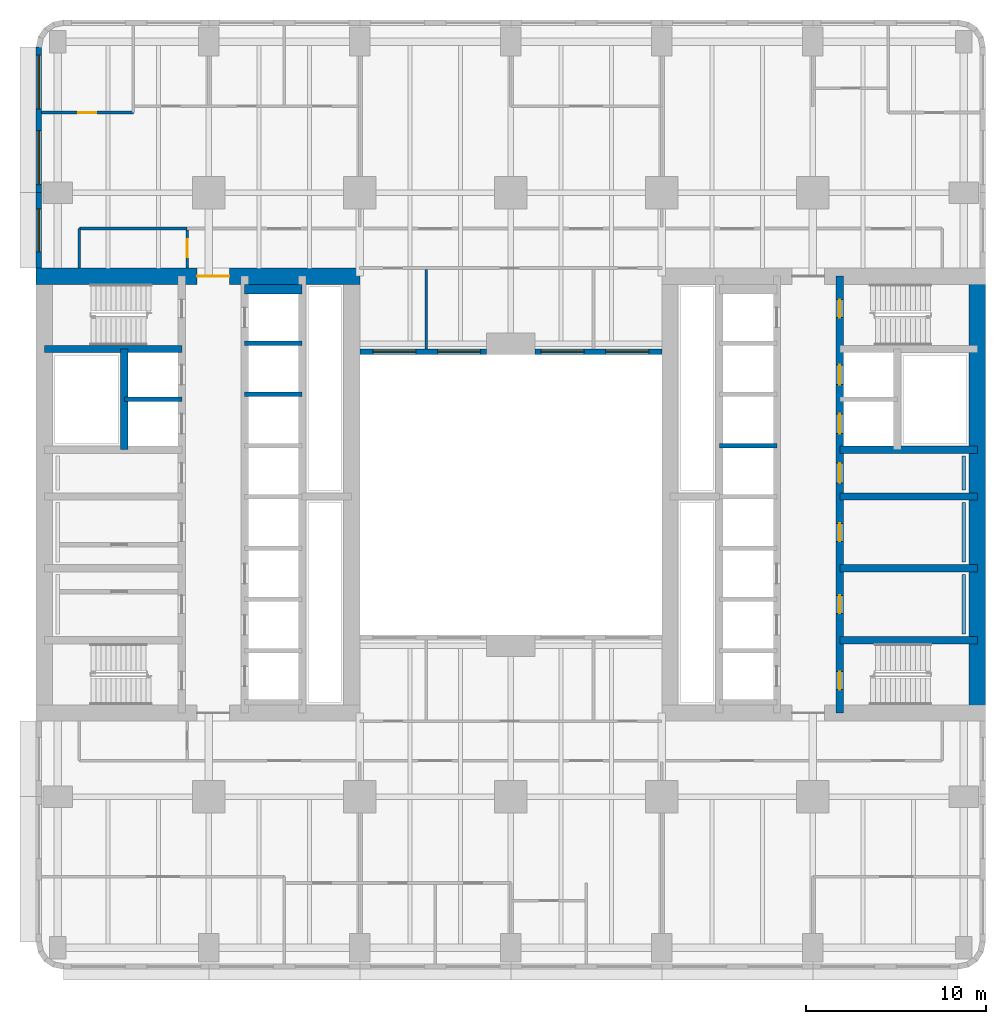
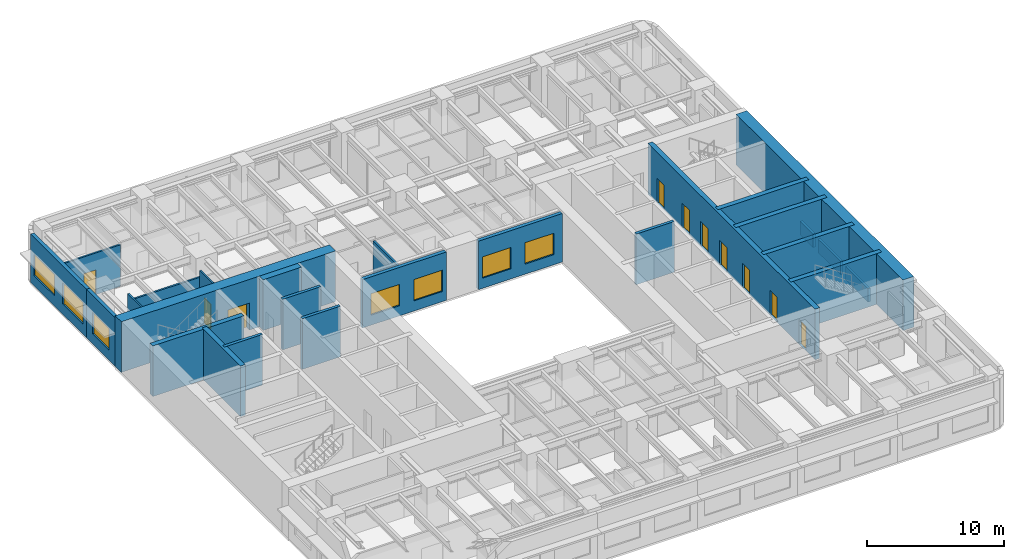
# One storey, part 6 of 13: 26 walls, 10 doors, 7 windows, 17 openings.
"""IFC4 building model written with IfcOpenShell, lengths in metres."""

from ifc_helpers import new_model, si_unit, direction, frame, frame_2d, origin, place, context, subcontext, project, spatial, rectangle, extrude, material, layer, layer_set, type_object, element, fill, save


model = new_model("IFC4")

# Units and contexts
model_context = context("Model", 3, precision=1e-05, world=origin(), true_north=direction((0.0, 1.0)))
body_context = subcontext(model_context, "Body", "Model", "MODEL_VIEW")
ifc_project = project(units=[si_unit("LENGTHUNIT", "METRE"), si_unit("AREAUNIT", "SQUARE_METRE"), si_unit("VOLUMEUNIT", "CUBIC_METRE"), si_unit("PLANEANGLEUNIT", "RADIAN"), si_unit("MASSUNIT", "GRAM", prefix="KILO")], contexts=[model_context])

# Site, building, storey
site_placement = place(None, origin())
site = spatial("IfcSite", under=ifc_project, at=site_placement, CompositionType="ELEMENT")
building_placement = place(site_placement, origin())
building = spatial("IfcBuilding", under=site, at=building_placement, Name="Claustro Exchange Tower", CompositionType="ELEMENT")
storey_placement = place(building_placement, frame((0.0, 0.0, 86.39990234375)))
storey = spatial("IfcBuildingStorey", under=building, at=storey_placement, Name="L19", CompositionType="ELEMENT", Elevation=86.39990234375)

# Wall, opening, door
ifc_material_1 = material(Name="Gypsum board on steel studs", Category="steel")
ifc_layer_1 = layer(ifc_material_1, 0.14990234375)
ifc_layer_set_1 = layer_set([ifc_layer_1], Name="Gypsum board on steel studs")
wall_type_1 = type_object("IfcWallType", Name="P1 150 plasterboard partition", PredefinedType="PARTITIONING", material=ifc_layer_set_1)
wall_1_placement = place(storey_placement, frame((-0.902099609375, 46.449951171875, 0.0), z_axis=(0.0, 0.0, 1.0), x_axis=(1.0, 0.0, 0.0)))
wall_1 = element("IfcWall", 1, at=wall_1_placement, inside=storey, type_object=wall_type_1, Name="Partition P1 L19", PredefinedType="PARTITIONING", context=body_context, shape_type="SweptSolid", body=[
    extrude(rectangle(XDim=5.10205078125, YDim=0.14990234375, at=frame_2d((2.551025390625, 0.0))), origin(), (0.0, 0.0, 1.0), 3.7001953125),
])
opening_1_placement = place(wall_1_placement, frame((2.052001953125, 0.0, 0.0)))
opening_1 = element("IfcOpeningElement", 2, at=opening_1_placement, cuts=wall_1, Name="Opening D1", PredefinedType="OPENING", context=body_context, shape_type="SweptSolid", body=[
    extrude(rectangle(XDim=1.0, YDim=2.199951171875, at=frame_2d((0.5, 1.10009765625))), frame((0.0, 0.0849609375, 0.0), z_axis=(0.0, -1.0, 0.0), x_axis=(1.0, 0.0, 0.0)), (0.0, 0.0, 1.0), 0.169921875),
])
ifc_material_2 = material(Name="Timber door, oak veneer", Category="wood")
door_type_1 = type_object("IfcDoorType", Name="D1 1000 x 2200 single door", OperationType="SINGLE_SWING_LEFT", PredefinedType="DOOR", material=ifc_material_2)
door_1_placement = place(opening_1_placement, origin())
door_1 = element("IfcDoor", 3, at=door_1_placement, inside=storey, type_object=door_type_1, Name="Door D1 L19", OperationType="SINGLE_SWING_RIGHT", OverallHeight=2.199951171875, OverallWidth=1.0, PredefinedType="DOOR", context=body_context, shape_type="SweptSolid", body=[
    extrude(rectangle(XDim=1.0, YDim=2.199951171875, at=frame_2d((0.5, 1.10009765625))), frame((0.0, 0.02490234375, 0.0), z_axis=(0.0, -1.0, 0.0), x_axis=(1.0, 0.0, 0.0)), (0.0, 0.0, 1.0), 0.050048828125),
])
fill(opening_1, door_1)

wall_2_placement = place(storey_placement, frame((7.199951171875, 37.800048828125, 0.0), z_axis=(0.0, 0.0, 1.0), x_axis=(0.0, 1.0, 0.0)))
wall_2 = element("IfcWall", 4, at=wall_2_placement, inside=storey, type_object=wall_type_1, Name="Partition P1 L19", PredefinedType="PARTITIONING", context=body_context, shape_type="SweptSolid", body=[
    extrude(rectangle(XDim=2.1259765625, YDim=0.14990234375, at=frame_2d((1.06298828125, 0.0))), origin(), (0.0, 0.0, 1.0), 4.300048828125),
])
opening_2_placement = place(wall_2_placement, frame((0.60009765625, 0.0, 0.0)))
opening_2 = element("IfcOpeningElement", 5, at=opening_2_placement, cuts=wall_2, Name="Opening D1", PredefinedType="OPENING", context=body_context, shape_type="SweptSolid", body=[
    extrude(rectangle(XDim=1.0, YDim=2.199951171875, at=frame_2d((0.5, 1.10009765625))), frame((0.0, 0.0849609375, 0.0), z_axis=(0.0, -1.0, 0.0), x_axis=(1.0, 0.0, 0.0)), (0.0, 0.0, 1.0), 0.169921875),
])
door_2_placement = place(opening_2_placement, origin())
door_2 = element("IfcDoor", 6, at=door_2_placement, inside=storey, type_object=door_type_1, Name="Door D1 L19", OperationType="SINGLE_SWING_LEFT", OverallHeight=2.199951171875, OverallWidth=1.0, PredefinedType="DOOR", context=body_context, shape_type="SweptSolid", body=[
    extrude(rectangle(XDim=1.0, YDim=2.199951171875, at=frame_2d((0.5, 1.10009765625))), frame((0.0, 0.02490234375, 0.0), z_axis=(0.0, -1.0, 0.0), x_axis=(1.0, 0.0, 0.0)), (0.0, 0.0, 1.0), 0.050048828125),
])
fill(opening_2, door_2)

# Walls
wall_3_placement = place(storey_placement, frame((1.199951171875, 40.0, 0.0), z_axis=(0.0, 0.0, 1.0), x_axis=(1.0, 0.0, 0.0)))
element("IfcWall", 7, at=wall_3_placement, inside=storey, type_object=wall_type_1, Name="Partition P1 L19", PredefinedType="PARTITIONING", context=body_context, shape_type="SweptSolid", body=[
    extrude(rectangle(XDim=6.001953125, YDim=0.14990234375, at=frame_2d((3.0009765625, 0.0))), origin(), (0.0, 0.0, 1.0), 3.7001953125),
])
wall_4_placement = place(storey_placement, frame((1.199951171875, 37.800048828125, 0.0), z_axis=(0.0, 0.0, 1.0), x_axis=(0.0, 1.0, 0.0)))
element("IfcWall", 8, at=wall_4_placement, inside=storey, type_object=wall_type_1, Name="Partition P1 L19", PredefinedType="PARTITIONING", context=body_context, shape_type="SweptSolid", body=[
    extrude(rectangle(XDim=2.199951171875, YDim=0.14990234375, at=frame_2d((1.10009765625, 0.0))), origin(), (0.0, 0.0, 1.0), 4.300048828125),
])
wall_5_placement = place(storey_placement, frame((20.5, 33.298095703125, 0.0), z_axis=(0.0, 0.0, 1.0), x_axis=(0.0, 1.0, 0.0)))
element("IfcWall", 9, at=wall_5_placement, inside=storey, type_object=wall_type_1, Name="Partition P1 L19", PredefinedType="PARTITIONING", context=body_context, shape_type="SweptSolid", body=[
    extrude(rectangle(XDim=4.427978515625, YDim=0.14990234375, at=frame_2d((2.2138671875, 0.0))), origin(), (0.0, 0.0, 1.0), 3.610107421875),
])

# Wall, opening, window
ifc_material_3 = material(Name="Concrete HA-40 (C40/50), precast, white cement, acid-etched", Category="concrete")
ifc_layer_2 = layer(ifc_material_3, 0.300048828125)
ifc_layer_set_2 = layer_set([ifc_layer_2], Name="Concrete HA-40 (C40/50), precast, white cement, acid-etched")
wall_type_2 = type_object("IfcWallType", Name="PC1 300 precast concrete pier panel", PredefinedType="SOLIDWALL", material=ifc_layer_set_2)
wall_6_placement = place(storey_placement, frame((-1.050048828125, 37.800048828125, 0.0), z_axis=(0.0, 0.0, 1.0), x_axis=(0.0, 1.0, 0.0)))
wall_6 = element("IfcWall", 10, at=wall_6_placement, inside=storey, type_object=wall_type_2, Name="Precast pier panel PC1 L19", PredefinedType="SOLIDWALL", context=body_context, shape_type="SweptSolid", body=[
    extrude(rectangle(XDim=4.199951171875, YDim=0.300048828125, at=frame_2d((2.10009765625, 0.0))), origin(), (0.0, 0.0, 1.0), 4.300048828125),
])
opening_3_placement = place(wall_6_placement, frame((0.89990234375, 0.0, 0.89990234375)))
opening_3 = element("IfcOpeningElement", 11, at=opening_3_placement, cuts=wall_6, Name="Opening W2", PredefinedType="OPENING", context=body_context, shape_type="SweptSolid", body=[
    extrude(rectangle(XDim=2.39990234375, YDim=1.89990234375, at=frame_2d((1.199951171875, 0.949951171875))), frame((0.0, 0.159912109375, 0.0), z_axis=(0.0, -1.0, 0.0), x_axis=(1.0, 0.0, 0.0)), (0.0, 0.0, 1.0), 0.320068359375),
])
ifc_material_4 = material(Name="Aluminium frame, clear double glazing", Category="aluminium")
window_type_1 = type_object("IfcWindowType", Name="W2 2400 x 1900 window", PartitioningType="SINGLE_PANEL", PredefinedType="WINDOW", material=ifc_material_4)
window_1_placement = place(opening_3_placement, origin())
window_1 = element("IfcWindow", 12, at=window_1_placement, inside=storey, type_object=window_type_1, Name="Window W2 L19", OverallHeight=1.89990234375, OverallWidth=2.39990234375, PartitioningType="SINGLE_PANEL", PredefinedType="WINDOW", context=body_context, shape_type="SweptSolid", body=[
    extrude(rectangle(XDim=2.39990234375, YDim=1.89990234375, at=frame_2d((1.199951171875, 0.949951171875))), frame((0.0, 0.030029296875, 0.0), z_axis=(0.0, -1.0, 0.0), x_axis=(1.0, 0.0, 0.0)), (0.0, 0.0, 1.0), 0.06005859375),
])
fill(opening_3, window_1)

# Wall, openings, windows
wall_7_placement = place(storey_placement, frame((-1.050048828125, 42.0, 0.0), z_axis=(0.0, 0.0, 1.0), x_axis=(0.0, 1.0, 0.0)))
wall_7 = element("IfcWall", 13, at=wall_7_placement, inside=storey, type_object=wall_type_2, Name="Precast pier panel PC1 L19", PredefinedType="SOLIDWALL", context=body_context, shape_type="SweptSolid", body=[
    extrude(rectangle(XDim=8.085205078125, YDim=0.300048828125, at=frame_2d((4.04248046875, 0.0))), origin(), (0.0, 0.0, 1.0), 4.300048828125),
])
opening_4_placement = place(wall_7_placement, frame((0.442626953125, 0.0, 0.89990234375)))
opening_4 = element("IfcOpeningElement", 14, at=opening_4_placement, cuts=wall_7, Name="Opening W1", PredefinedType="OPENING", context=body_context, shape_type="SweptSolid", body=[
    extrude(rectangle(XDim=3.0, YDim=1.89990234375, at=frame_2d((1.5, 0.949951171875))), frame((0.0, 0.159912109375, 0.0), z_axis=(0.0, -1.0, 0.0), x_axis=(1.0, 0.0, 0.0)), (0.0, 0.0, 1.0), 0.320068359375),
])
opening_5_placement = place(wall_7_placement, frame((4.642578125, 0.0, 0.89990234375)))
opening_5 = element("IfcOpeningElement", 15, at=opening_5_placement, cuts=wall_7, Name="Opening W1", PredefinedType="OPENING", context=body_context, shape_type="SweptSolid", body=[
    extrude(rectangle(XDim=3.0, YDim=1.89990234375, at=frame_2d((1.5, 0.949951171875))), frame((0.0, 0.159912109375, 0.0), z_axis=(0.0, -1.0, 0.0), x_axis=(1.0, 0.0, 0.0)), (0.0, 0.0, 1.0), 0.320068359375),
])
ifc_material_5 = material(Name="Aluminium frame, clear double glazing", Category="aluminium")
window_type_2 = type_object("IfcWindowType", Name="W1 3000 x 1900 window", PartitioningType="SINGLE_PANEL", PredefinedType="WINDOW", material=ifc_material_5)
window_2_placement = place(opening_4_placement, origin())
window_2 = element("IfcWindow", 16, at=window_2_placement, inside=storey, type_object=window_type_2, Name="Window W1 L19", OverallHeight=1.89990234375, OverallWidth=3.0, PartitioningType="SINGLE_PANEL", PredefinedType="WINDOW", context=body_context, shape_type="SweptSolid", body=[
    extrude(rectangle(XDim=3.0, YDim=1.89990234375, at=frame_2d((1.5, 0.949951171875))), frame((0.0, 0.030029296875, 0.0), z_axis=(0.0, -1.0, 0.0), x_axis=(1.0, 0.0, 0.0)), (0.0, 0.0, 1.0), 0.06005859375),
])
fill(opening_4, window_2)
window_3_placement = place(opening_5_placement, origin())
window_3 = element("IfcWindow", 17, at=window_3_placement, inside=storey, type_object=window_type_2, Name="Window W1 L19", OverallHeight=1.89990234375, OverallWidth=3.0, PartitioningType="SINGLE_PANEL", PredefinedType="WINDOW", context=body_context, shape_type="SweptSolid", body=[
    extrude(rectangle(XDim=3.0, YDim=1.89990234375, at=frame_2d((1.5, 0.949951171875))), frame((0.0, 0.030029296875, 0.0), z_axis=(0.0, -1.0, 0.0), x_axis=(1.0, 0.0, 0.0)), (0.0, 0.0, 1.0), 0.06005859375),
])
fill(opening_5, window_3)

wall_8_placement = place(storey_placement, frame((16.800048828125, 33.14990234375, 0.0), z_axis=(0.0, 0.0, 1.0), x_axis=(1.0, 0.0, 0.0)))
wall_8 = element("IfcWall", 18, at=wall_8_placement, inside=storey, type_object=wall_type_2, Name="Precast pier panel PC1 L19", PredefinedType="SOLIDWALL", context=body_context, shape_type="SweptSolid", body=[
    extrude(rectangle(XDim=7.050048828125, YDim=0.300048828125, at=frame_2d((3.52490234375, 0.0))), origin(), (0.0, 0.0, 1.0), 4.300048828125),
])
opening_6_placement = place(wall_8_placement, frame((0.72509765625, 0.0, 0.89990234375)))
opening_6 = element("IfcOpeningElement", 19, at=opening_6_placement, cuts=wall_8, Name="Opening W2", PredefinedType="OPENING", context=body_context, shape_type="SweptSolid", body=[
    extrude(rectangle(XDim=2.39990234375, YDim=1.89990234375, at=frame_2d((1.199951171875, 0.949951171875))), frame((0.0, 0.159912109375, 0.0), z_axis=(0.0, -1.0, 0.0), x_axis=(1.0, 0.0, 0.0)), (0.0, 0.0, 1.0), 0.320068359375),
])
opening_7_placement = place(wall_8_placement, frame((4.324951171875, 0.0, 0.89990234375)))
opening_7 = element("IfcOpeningElement", 20, at=opening_7_placement, cuts=wall_8, Name="Opening W2", PredefinedType="OPENING", context=body_context, shape_type="SweptSolid", body=[
    extrude(rectangle(XDim=2.39990234375, YDim=1.89990234375, at=frame_2d((1.199951171875, 0.949951171875))), frame((0.0, 0.159912109375, 0.0), z_axis=(0.0, -1.0, 0.0), x_axis=(1.0, 0.0, 0.0)), (0.0, 0.0, 1.0), 0.320068359375),
])
window_4_placement = place(opening_6_placement, origin())
window_4 = element("IfcWindow", 21, at=window_4_placement, inside=storey, type_object=window_type_1, Name="Window W2 L19", OverallHeight=1.89990234375, OverallWidth=2.39990234375, PartitioningType="SINGLE_PANEL", PredefinedType="WINDOW", context=body_context, shape_type="SweptSolid", body=[
    extrude(rectangle(XDim=2.39990234375, YDim=1.89990234375, at=frame_2d((1.199951171875, 0.949951171875))), frame((0.0, 0.030029296875, 0.0), z_axis=(0.0, -1.0, 0.0), x_axis=(1.0, 0.0, 0.0)), (0.0, 0.0, 1.0), 0.06005859375),
])
fill(opening_6, window_4)
window_5_placement = place(opening_7_placement, origin())
window_5 = element("IfcWindow", 22, at=window_5_placement, inside=storey, type_object=window_type_1, Name="Window W2 L19", OverallHeight=1.89990234375, OverallWidth=2.39990234375, PartitioningType="SINGLE_PANEL", PredefinedType="WINDOW", context=body_context, shape_type="SweptSolid", body=[
    extrude(rectangle(XDim=2.39990234375, YDim=1.89990234375, at=frame_2d((1.199951171875, 0.949951171875))), frame((0.0, 0.030029296875, 0.0), z_axis=(0.0, -1.0, 0.0), x_axis=(1.0, 0.0, 0.0)), (0.0, 0.0, 1.0), 0.06005859375),
])
fill(opening_7, window_5)

wall_9_placement = place(storey_placement, frame((26.550048828125, 33.14990234375, 0.0), z_axis=(0.0, 0.0, 1.0), x_axis=(1.0, 0.0, 0.0)))
wall_9 = element("IfcWall", 23, at=wall_9_placement, inside=storey, type_object=wall_type_2, Name="Precast pier panel PC1 L19", PredefinedType="SOLIDWALL", context=body_context, shape_type="SweptSolid", body=[
    extrude(rectangle(XDim=7.050048828125, YDim=0.300048828125, at=frame_2d((3.52490234375, 0.0))), origin(), (0.0, 0.0, 1.0), 4.300048828125),
])
opening_8_placement = place(wall_9_placement, frame((0.324951171875, 0.0, 0.89990234375)))
opening_8 = element("IfcOpeningElement", 24, at=opening_8_placement, cuts=wall_9, Name="Opening W2", PredefinedType="OPENING", context=body_context, shape_type="SweptSolid", body=[
    extrude(rectangle(XDim=2.39990234375, YDim=1.89990234375, at=frame_2d((1.199951171875, 0.949951171875))), frame((0.0, 0.159912109375, 0.0), z_axis=(0.0, -1.0, 0.0), x_axis=(1.0, 0.0, 0.0)), (0.0, 0.0, 1.0), 0.320068359375),
])
opening_9_placement = place(wall_9_placement, frame((3.925048828125, 0.0, 0.89990234375)))
opening_9 = element("IfcOpeningElement", 25, at=opening_9_placement, cuts=wall_9, Name="Opening W2", PredefinedType="OPENING", context=body_context, shape_type="SweptSolid", body=[
    extrude(rectangle(XDim=2.39990234375, YDim=1.89990234375, at=frame_2d((1.199951171875, 0.949951171875))), frame((0.0, 0.159912109375, 0.0), z_axis=(0.0, -1.0, 0.0), x_axis=(1.0, 0.0, 0.0)), (0.0, 0.0, 1.0), 0.320068359375),
])
window_6_placement = place(opening_8_placement, origin())
window_6 = element("IfcWindow", 26, at=window_6_placement, inside=storey, type_object=window_type_1, Name="Window W2 L19", OverallHeight=1.89990234375, OverallWidth=2.39990234375, PartitioningType="SINGLE_PANEL", PredefinedType="WINDOW", context=body_context, shape_type="SweptSolid", body=[
    extrude(rectangle(XDim=2.39990234375, YDim=1.89990234375, at=frame_2d((1.199951171875, 0.949951171875))), frame((0.0, 0.030029296875, 0.0), z_axis=(0.0, -1.0, 0.0), x_axis=(1.0, 0.0, 0.0)), (0.0, 0.0, 1.0), 0.06005859375),
])
fill(opening_8, window_6)
window_7_placement = place(opening_9_placement, origin())
window_7 = element("IfcWindow", 27, at=window_7_placement, inside=storey, type_object=window_type_1, Name="Window W2 L19", OverallHeight=1.89990234375, OverallWidth=2.39990234375, PartitioningType="SINGLE_PANEL", PredefinedType="WINDOW", context=body_context, shape_type="SweptSolid", body=[
    extrude(rectangle(XDim=2.39990234375, YDim=1.89990234375, at=frame_2d((1.199951171875, 0.949951171875))), frame((0.0, 0.030029296875, 0.0), z_axis=(0.0, -1.0, 0.0), x_axis=(1.0, 0.0, 0.0)), (0.0, 0.0, 1.0), 0.06005859375),
])
fill(opening_9, window_7)

# Walls
ifc_material_6 = material(Name="Gypsum board on steel studs, tiled", Category="steel")
ifc_layer_3 = layer(ifc_material_6, 0.199951171875)
ifc_layer_set_3 = layer_set([ifc_layer_3], Name="Gypsum board on steel studs, tiled")
wall_type_3 = type_object("IfcWallType", Name="PW1 200 WC duct wall", PredefinedType="PLUMBINGWALL", material=ifc_layer_set_3)
for number, where, z_axis, x_axis, name in (
    (28, (50.39990234375, 17.449951171875, 0.0), (0.0, 0.0, 1.0), (0.0, 1.0, 0.0), "WC duct wall PW1 L19"),
    (29, (50.39990234375, 21.449951171875, 0.0), (0.0, 0.0, 1.0), (0.0, 1.0, 0.0), "WC duct wall PW1 L19"),
):
    element("IfcWall", number, at=place(storey_placement, frame(where, z_axis=z_axis, x_axis=x_axis)), inside=storey, type_object=wall_type_3, Name=name, PredefinedType="PLUMBINGWALL", context=body_context, shape_type="SweptSolid", body=[
        extrude(rectangle(XDim=3.300048828125, YDim=0.199951171875, at=frame_2d((1.64990234375, 0.0))), origin(), (0.0, 0.0, 1.0), 1.2001953125),
    ])
wall_10_placement = place(storey_placement, frame((50.39990234375, 25.449951171875, 0.0), z_axis=(0.0, 0.0, 1.0), x_axis=(0.0, 1.0, 0.0)))
element("IfcWall", 30, at=wall_10_placement, inside=storey, type_object=wall_type_3, Name="WC duct wall PW1 L19", PredefinedType="PLUMBINGWALL", context=body_context, shape_type="SweptSolid", body=[
    extrude(rectangle(XDim=1.900146484375, YDim=0.199951171875, at=frame_2d((0.9501953125, 0.0))), origin(), (0.0, 0.0, 1.0), 1.2001953125),
])

# Wall, opening, door
ifc_material_7 = material(Name="Concrete HA-70 (C70/85)", Category="concrete")
ifc_layer_4 = layer(ifc_material_7, 0.89990234375)
ifc_layer_set_4 = layer_set([ifc_layer_4], Name="Concrete HA-70 (C70/85)")
wall_type_4 = type_object("IfcWallType", Name="SW1 900 core shear wall", PredefinedType="SHEAR", material=ifc_layer_set_4)
wall_11_placement = place(storey_placement, frame((-1.199951171875, 37.35009765625, 0.0), z_axis=(0.0, 0.0, 1.0), x_axis=(1.0, 0.0, 0.0)))
wall_11 = element("IfcWall", 31, at=wall_11_placement, inside=storey, type_object=wall_type_4, Name="Core wall SW1 W core N face L19", PredefinedType="SHEAR", context=body_context, shape_type="SweptSolid", body=[
    extrude(rectangle(XDim=18.0, YDim=0.89990234375, at=frame_2d((9.0, 0.0))), origin(), (0.0, 0.0, 1.0), 4.5),
])
opening_10_placement = place(wall_11_placement, frame((8.949951171875, 0.0, 0.0)))
opening_10 = element("IfcOpeningElement", 32, at=opening_10_placement, cuts=wall_11, Name="Opening D3", PredefinedType="OPENING", context=body_context, shape_type="SweptSolid", body=[
    extrude(rectangle(XDim=1.800048828125, YDim=2.39990234375, at=frame_2d((0.89990234375, 1.199951171875))), frame((0.0, 0.4599609375, 0.0), z_axis=(0.0, -1.0, 0.0), x_axis=(1.0, 0.0, 0.0)), (0.0, 0.0, 1.0), 0.919921875),
])
ifc_material_8 = material(Name="Steel fire door, painted", Category="steel")
door_type_2 = type_object("IfcDoorType", Name="D3 1800 x 2400 fire-rated lobby double door", OperationType="DOUBLE_DOOR_SINGLE_SWING", PredefinedType="DOOR", material=ifc_material_8)
door_3_placement = place(opening_10_placement, frame((1.800048828125, 0.0, 0.0), z_axis=(0.0, 0.0, 1.0), x_axis=(-1.0, 0.0, 0.0)))
door_3 = element("IfcDoor", 33, at=door_3_placement, inside=storey, type_object=door_type_2, Name="Lift lobby door D3 L19", OperationType="DOUBLE_DOOR_SINGLE_SWING", OverallHeight=2.39990234375, OverallWidth=1.800048828125, PredefinedType="DOOR", context=body_context, shape_type="SweptSolid", body=[
    extrude(rectangle(XDim=1.800048828125, YDim=2.39990234375, at=frame_2d((0.89990234375, 1.199951171875))), frame((0.0, 0.02490234375, 0.0), z_axis=(0.0, -1.0, 0.0), x_axis=(1.0, 0.0, 0.0)), (0.0, 0.0, 1.0), 0.050048828125),
])
fill(opening_10, door_3)

# Walls
ifc_material_9 = material(Name="Concrete HA-70 (C70/85)", Category="concrete")
ifc_layer_5 = layer(ifc_material_9, 0.89990234375)
ifc_layer_set_5 = layer_set([ifc_layer_5], Name="Concrete HA-70 (C70/85)")
wall_type_5 = type_object("IfcWallType", Name="SW1X 900 exposed core shear wall, board-marked face", PredefinedType="SHEAR", material=ifc_layer_set_5)
wall_12_placement = place(storey_placement, frame((51.14990234375, 13.050048828125, 0.0), z_axis=(0.0, 0.0, 1.0), x_axis=(0.0, 1.0, 0.0)))
element("IfcWall", 34, at=wall_12_placement, inside=storey, type_object=wall_type_5, Name="Core wall SW1X E core E face L19", PredefinedType="SHEAR", context=body_context, shape_type="SweptSolid", body=[
    extrude(rectangle(XDim=24.300048828125, YDim=0.89990234375, at=frame_2d((12.14990234375, 0.0))), origin(), (0.0, 0.0, 1.0), 4.5),
])
ifc_material_10 = material(Name="Concrete HA-50 (C50/60)", Category="concrete")
ifc_layer_6 = layer(ifc_material_10, 0.39990234375)
ifc_layer_set_6 = layer_set([ifc_layer_6], Name="Concrete HA-50 (C50/60)")
wall_type_6 = type_object("IfcWallType", Name="SW4 400 internal core wall", PredefinedType="SHEAR", material=ifc_layer_set_6)
wall_13_placement = place(storey_placement, frame((-0.75, 33.300048828125, 0.0), z_axis=(0.0, 0.0, 1.0), x_axis=(1.0, 0.0, 0.0)))
element("IfcWall", 35, at=wall_13_placement, inside=storey, type_object=wall_type_6, Name="Internal core wall SW4 W core L19", PredefinedType="SHEAR", context=body_context, shape_type="SweptSolid", body=[
    extrude(rectangle(XDim=7.64990234375, YDim=0.39990234375, at=frame_2d((3.824951171875, 0.0))), origin(), (0.0, 0.0, 1.0), 4.5),
])
wall_14_placement = place(storey_placement, frame((3.699951171875, 27.699951171875, 0.0), z_axis=(0.0, 0.0, 1.0), x_axis=(0.0, 1.0, 0.0)))
element("IfcWall", 36, at=wall_14_placement, inside=storey, type_object=wall_type_6, Name="Internal core wall SW4 W core L19", PredefinedType="SHEAR", context=body_context, shape_type="SweptSolid", body=[
    extrude(rectangle(XDim=5.60009765625, YDim=0.39990234375, at=frame_2d((2.800048828125, 0.0))), origin(), (0.0, 0.0, 1.0), 4.5),
])

# Wall, openings, doors
wall_15_placement = place(storey_placement, frame((43.5, 13.050048828125, 0.0), z_axis=(0.0, 0.0, 1.0), x_axis=(0.0, 1.0, 0.0)))
wall_15 = element("IfcWall", 37, at=wall_15_placement, inside=storey, type_object=wall_type_6, Name="Internal core wall SW4 E core L19", PredefinedType="SHEAR", context=body_context, shape_type="SweptSolid", body=[
    extrude(rectangle(XDim=24.300048828125, YDim=0.39990234375, at=frame_2d((12.14990234375, 0.0))), origin(), (0.0, 0.0, 1.0), 4.5),
])
opening_11_placement = place(wall_15_placement, frame((1.300048828125, 0.0, 0.0)))
opening_11 = element("IfcOpeningElement", 38, at=opening_11_placement, cuts=wall_15, Name="Opening D4", PredefinedType="OPENING", context=body_context, shape_type="SweptSolid", body=[
    extrude(rectangle(XDim=1.0, YDim=2.199951171875, at=frame_2d((0.5, 1.10009765625))), frame((0.0, 0.2099609375, 0.0), z_axis=(0.0, -1.0, 0.0), x_axis=(1.0, 0.0, 0.0)), (0.0, 0.0, 1.0), 0.419921875),
])
opening_12_placement = place(wall_15_placement, frame((22.0, 0.0, 0.0)))
opening_12 = element("IfcOpeningElement", 39, at=opening_12_placement, cuts=wall_15, Name="Opening D4", PredefinedType="OPENING", context=body_context, shape_type="SweptSolid", body=[
    extrude(rectangle(XDim=1.0, YDim=2.199951171875, at=frame_2d((0.5, 1.10009765625))), frame((0.0, 0.2099609375, 0.0), z_axis=(0.0, -1.0, 0.0), x_axis=(1.0, 0.0, 0.0)), (0.0, 0.0, 1.0), 0.419921875),
])
opening_13_placement = place(wall_15_placement, frame((5.550048828125, 0.0, 0.0)))
opening_13 = element("IfcOpeningElement", 40, at=opening_13_placement, cuts=wall_15, Name="Opening D1", PredefinedType="OPENING", context=body_context, shape_type="SweptSolid", body=[
    extrude(rectangle(XDim=1.0, YDim=2.199951171875, at=frame_2d((0.5, 1.10009765625))), frame((0.0, 0.2099609375, 0.0), z_axis=(0.0, -1.0, 0.0), x_axis=(1.0, 0.0, 0.0)), (0.0, 0.0, 1.0), 0.419921875),
])
opening_14_placement = place(wall_15_placement, frame((9.550048828125, 0.0, 0.0)))
opening_14 = element("IfcOpeningElement", 41, at=opening_14_placement, cuts=wall_15, Name="Opening D1", PredefinedType="OPENING", context=body_context, shape_type="SweptSolid", body=[
    extrude(rectangle(XDim=1.0, YDim=2.199951171875, at=frame_2d((0.5, 1.10009765625))), frame((0.0, 0.2099609375, 0.0), z_axis=(0.0, -1.0, 0.0), x_axis=(1.0, 0.0, 0.0)), (0.0, 0.0, 1.0), 0.419921875),
])
opening_15_placement = place(wall_15_placement, frame((12.800048828125, 0.0, 0.0)))
opening_15 = element("IfcOpeningElement", 42, at=opening_15_placement, cuts=wall_15, Name="Opening D10", PredefinedType="OPENING", context=body_context, shape_type="SweptSolid", body=[
    extrude(rectangle(XDim=1.10009765625, YDim=2.199951171875, at=frame_2d((0.550048828125, 1.10009765625))), frame((0.0, 0.2099609375, 0.0), z_axis=(0.0, -1.0, 0.0), x_axis=(1.0, 0.0, 0.0)), (0.0, 0.0, 1.0), 0.419921875),
])
opening_16_placement = place(wall_15_placement, frame((15.53759765625, 0.0, 0.0)))
opening_16 = element("IfcOpeningElement", 43, at=opening_16_placement, cuts=wall_15, Name="Opening LD", PredefinedType="OPENING", context=body_context, shape_type="SweptSolid", body=[
    extrude(rectangle(XDim=1.10009765625, YDim=2.199951171875, at=frame_2d((0.550048828125, 1.10009765625))), frame((0.0, 0.2099609375, 0.0), z_axis=(0.0, -1.0, 0.0), x_axis=(1.0, 0.0, 0.0)), (0.0, 0.0, 1.0), 0.419921875),
])
opening_17_placement = place(wall_15_placement, frame((18.262451171875, 0.0, 0.0)))
opening_17 = element("IfcOpeningElement", 44, at=opening_17_placement, cuts=wall_15, Name="Opening LD", PredefinedType="OPENING", context=body_context, shape_type="SweptSolid", body=[
    extrude(rectangle(XDim=1.10009765625, YDim=2.199951171875, at=frame_2d((0.550048828125, 1.10009765625))), frame((0.0, 0.2099609375, 0.0), z_axis=(0.0, -1.0, 0.0), x_axis=(1.0, 0.0, 0.0)), (0.0, 0.0, 1.0), 0.419921875),
])
door_4_placement = place(opening_13_placement, frame((1.0, 0.0, 0.0), z_axis=(0.0, 0.0, 1.0), x_axis=(-1.0, 0.0, 0.0)))
door_4 = element("IfcDoor", 45, at=door_4_placement, inside=storey, type_object=door_type_1, Name="Door D1 L19", OperationType="SINGLE_SWING_LEFT", OverallHeight=2.199951171875, OverallWidth=1.0, PredefinedType="DOOR", context=body_context, shape_type="SweptSolid", body=[
    extrude(rectangle(XDim=1.0, YDim=2.199951171875, at=frame_2d((0.5, 1.10009765625))), frame((0.0, 0.02490234375, 0.0), z_axis=(0.0, -1.0, 0.0), x_axis=(1.0, 0.0, 0.0)), (0.0, 0.0, 1.0), 0.050048828125),
])
fill(opening_13, door_4)
door_5_placement = place(opening_14_placement, frame((1.0, 0.0, 0.0), z_axis=(0.0, 0.0, 1.0), x_axis=(-1.0, 0.0, 0.0)))
door_5 = element("IfcDoor", 46, at=door_5_placement, inside=storey, type_object=door_type_1, Name="Door D1 L19", OperationType="SINGLE_SWING_LEFT", OverallHeight=2.199951171875, OverallWidth=1.0, PredefinedType="DOOR", context=body_context, shape_type="SweptSolid", body=[
    extrude(rectangle(XDim=1.0, YDim=2.199951171875, at=frame_2d((0.5, 1.10009765625))), frame((0.0, 0.02490234375, 0.0), z_axis=(0.0, -1.0, 0.0), x_axis=(1.0, 0.0, 0.0)), (0.0, 0.0, 1.0), 0.050048828125),
])
fill(opening_14, door_5)
ifc_material_11 = material(Name="Timber door, oak veneer", Category="wood")
door_type_3 = type_object("IfcDoorType", Name="D10 1100 x 2200 accessible WC door", OperationType="SINGLE_SWING_LEFT", PredefinedType="DOOR", material=ifc_material_11)
door_6_placement = place(opening_15_placement, origin())
door_6 = element("IfcDoor", 47, at=door_6_placement, inside=storey, type_object=door_type_3, Name="Accessible WC door D10 L19", OperationType="SINGLE_SWING_RIGHT", OverallHeight=2.199951171875, OverallWidth=1.10009765625, PredefinedType="DOOR", context=body_context, shape_type="SweptSolid", body=[
    extrude(rectangle(XDim=1.10009765625, YDim=2.199951171875, at=frame_2d((0.550048828125, 1.10009765625))), frame((0.0, 0.02490234375, 0.0), z_axis=(0.0, -1.0, 0.0), x_axis=(1.0, 0.0, 0.0)), (0.0, 0.0, 1.0), 0.050048828125),
])
fill(opening_15, door_6)
ifc_material_12 = material(Name="Steel fire door, painted", Category="steel")
door_type_4 = type_object("IfcDoorType", Name="D4 1000 x 2200 fire-rated stair door", OperationType="SINGLE_SWING_LEFT", PredefinedType="DOOR", material=ifc_material_12)
door_7_placement = place(opening_11_placement, frame((1.0, 0.0, 0.0), z_axis=(0.0, 0.0, 1.0), x_axis=(-1.0, 0.0, 0.0)))
door_7 = element("IfcDoor", 48, at=door_7_placement, inside=storey, type_object=door_type_4, Name="Stair door D4 L19", OperationType="SINGLE_SWING_RIGHT", OverallHeight=2.199951171875, OverallWidth=1.0, PredefinedType="DOOR", context=body_context, shape_type="SweptSolid", body=[
    extrude(rectangle(XDim=1.0, YDim=2.199951171875, at=frame_2d((0.5, 1.10009765625))), frame((0.0, 0.02490234375, 0.0), z_axis=(0.0, -1.0, 0.0), x_axis=(1.0, 0.0, 0.0)), (0.0, 0.0, 1.0), 0.050048828125),
])
fill(opening_11, door_7)
door_8_placement = place(opening_12_placement, frame((1.0, 0.0, 0.0), z_axis=(0.0, 0.0, 1.0), x_axis=(-1.0, 0.0, 0.0)))
door_8 = element("IfcDoor", 49, at=door_8_placement, inside=storey, type_object=door_type_4, Name="Stair door D4 L19", OperationType="SINGLE_SWING_LEFT", OverallHeight=2.199951171875, OverallWidth=1.0, PredefinedType="DOOR", context=body_context, shape_type="SweptSolid", body=[
    extrude(rectangle(XDim=1.0, YDim=2.199951171875, at=frame_2d((0.5, 1.10009765625))), frame((0.0, 0.02490234375, 0.0), z_axis=(0.0, -1.0, 0.0), x_axis=(1.0, 0.0, 0.0)), (0.0, 0.0, 1.0), 0.050048828125),
])
fill(opening_12, door_8)
ifc_material_13 = material(Name="Stainless steel sliding door", Category="steel")
door_type_5 = type_object("IfcDoorType", Name="LD 1100 x 2200 lift landing door", OperationType="DOUBLE_DOOR_SLIDING", PredefinedType="DOOR", material=ifc_material_13)
door_9_placement = place(opening_16_placement, origin())
door_9 = element("IfcDoor", 50, at=door_9_placement, inside=storey, type_object=door_type_5, Name="Lift landing door LEE1 LD L19", OperationType="DOUBLE_DOOR_SLIDING", OverallHeight=2.199951171875, OverallWidth=1.10009765625, PredefinedType="DOOR", context=body_context, shape_type="SweptSolid", body=[
    extrude(rectangle(XDim=1.10009765625, YDim=2.199951171875, at=frame_2d((0.550048828125, 1.10009765625))), frame((0.0, 0.02490234375, 0.0), z_axis=(0.0, -1.0, 0.0), x_axis=(1.0, 0.0, 0.0)), (0.0, 0.0, 1.0), 0.050048828125),
])
fill(opening_16, door_9)
door_10_placement = place(opening_17_placement, origin())
door_10 = element("IfcDoor", 51, at=door_10_placement, inside=storey, type_object=door_type_5, Name="Lift landing door LEE2 LD L19", OperationType="DOUBLE_DOOR_SLIDING", OverallHeight=2.199951171875, OverallWidth=1.10009765625, PredefinedType="DOOR", context=body_context, shape_type="SweptSolid", body=[
    extrude(rectangle(XDim=1.10009765625, YDim=2.199951171875, at=frame_2d((0.550048828125, 1.10009765625))), frame((0.0, 0.02490234375, 0.0), z_axis=(0.0, -1.0, 0.0), x_axis=(1.0, 0.0, 0.0)), (0.0, 0.0, 1.0), 0.050048828125),
])
fill(opening_17, door_10)

# Walls
for number, where, z_axis, x_axis, name in (
    (52, (51.14990234375, 17.10009765625, 0.0), (0.0, 0.0, 1.0), (-1.0, 0.0, 0.0), "Internal core wall SW4 E core L19"),
    (53, (51.14990234375, 21.10009765625, 0.0), (0.0, 0.0, 1.0), (-1.0, 0.0, 0.0), "Internal core wall SW4 E core L19"),
    (54, (51.14990234375, 25.10009765625, 0.0), (0.0, 0.0, 1.0), (-1.0, 0.0, 0.0), "Internal core wall SW4 E core L19"),
    (55, (51.14990234375, 27.699951171875, 0.0), (0.0, 0.0, 1.0), (-1.0, 0.0, 0.0), "Internal core wall SW4 E core L19"),
):
    element("IfcWall", number, at=place(storey_placement, frame(where, z_axis=z_axis, x_axis=x_axis)), inside=storey, type_object=wall_type_6, Name=name, PredefinedType="SHEAR", context=body_context, shape_type="SweptSolid", body=[
        extrude(rectangle(XDim=7.64990234375, YDim=0.39990234375, at=frame_2d((3.824951171875, 0.0))), origin(), (0.0, 0.0, 1.0), 4.5),
    ])
ifc_material_14 = material(Name="Concrete HA-50 (C50/60)", Category="concrete")
ifc_layer_7 = layer(ifc_material_14, 0.25)
ifc_layer_set_7 = layer_set([ifc_layer_7], Name="Concrete HA-50 (C50/60)")
wall_type_7 = type_object("IfcWallType", Name="SW5 250 lift shaft divider wall", PredefinedType="SHEAR", material=ifc_layer_set_7)
wall_16_placement = place(storey_placement, frame((3.699951171875, 30.5, 0.0), z_axis=(0.0, 0.0, 1.0), x_axis=(1.0, 0.0, 0.0)))
element("IfcWall", 56, at=wall_16_placement, inside=storey, type_object=wall_type_7, Name="Lift shaft wall W core L19", PredefinedType="SHEAR", context=body_context, shape_type="SweptSolid", body=[
    extrude(rectangle(XDim=3.199951171875, YDim=0.25, at=frame_2d((1.60009765625, 0.0))), origin(), (0.0, 0.0, 1.0), 4.5),
])
for number, where, z_axis, x_axis, name in (
    (57, (10.39990234375, 30.77490234375, 0.0), (0.0, 0.0, 1.0), (1.0, 0.0, 0.0), "Lift shaft wall W core L19"),
    (58, (10.39990234375, 33.625, 0.0), (0.0, 0.0, 1.0), (1.0, 0.0, 0.0), "Lift shaft wall W core L19"),
):
    element("IfcWall", number, at=place(storey_placement, frame(where, z_axis=z_axis, x_axis=x_axis)), inside=storey, type_object=wall_type_7, Name=name, PredefinedType="SHEAR", context=body_context, shape_type="SweptSolid", body=[
        extrude(rectangle(XDim=3.2001953125, YDim=0.25, at=frame_2d((1.60009765625, 0.0))), origin(), (0.0, 0.0, 1.0), 4.5),
    ])
wall_17_placement = place(storey_placement, frame((40.0, 27.925048828125, 0.0), z_axis=(0.0, 0.0, 1.0), x_axis=(-1.0, 0.0, 0.0)))
element("IfcWall", 59, at=wall_17_placement, inside=storey, type_object=wall_type_7, Name="Lift shaft wall E core L19", PredefinedType="SHEAR", context=body_context, shape_type="SweptSolid", body=[
    extrude(rectangle(XDim=3.199951171875, YDim=0.25, at=frame_2d((1.60009765625, 0.0))), origin(), (0.0, 0.0, 1.0), 4.5),
])
ifc_material_15 = material(Name="Concrete HA-50 (C50/60)", Category="concrete")
ifc_layer_8 = layer(ifc_material_15, 0.550048828125)
ifc_layer_set_8 = layer_set([ifc_layer_8], Name="Concrete HA-50 (C50/60)")
wall_type_8 = type_object("IfcWallType", Name="SW6 550 lift shaft end wall", PredefinedType="SHEAR", material=ifc_layer_set_8)
wall_18_placement = place(storey_placement, frame((10.39990234375, 36.625, 0.0), z_axis=(0.0, 0.0, 1.0), x_axis=(1.0, 0.0, 0.0)))
element("IfcWall", 60, at=wall_18_placement, inside=storey, type_object=wall_type_8, Name="Lift shaft wall W core L19", PredefinedType="SHEAR", context=body_context, shape_type="SweptSolid", body=[
    extrude(rectangle(XDim=3.2001953125, YDim=0.550048828125, at=frame_2d((1.60009765625, 0.0))), origin(), (0.0, 0.0, 1.0), 4.5),
])

save(model, "model.ifc")
